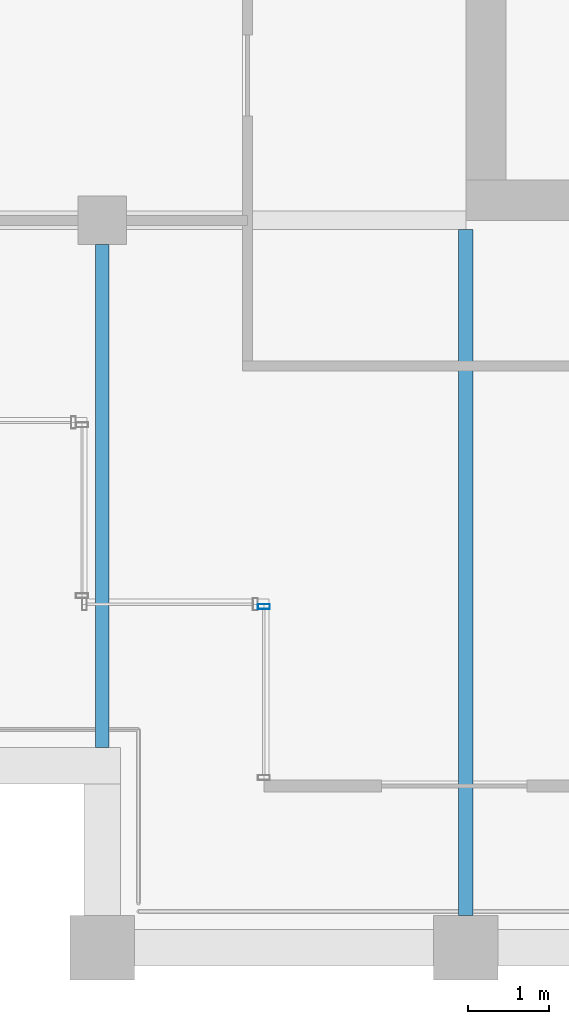
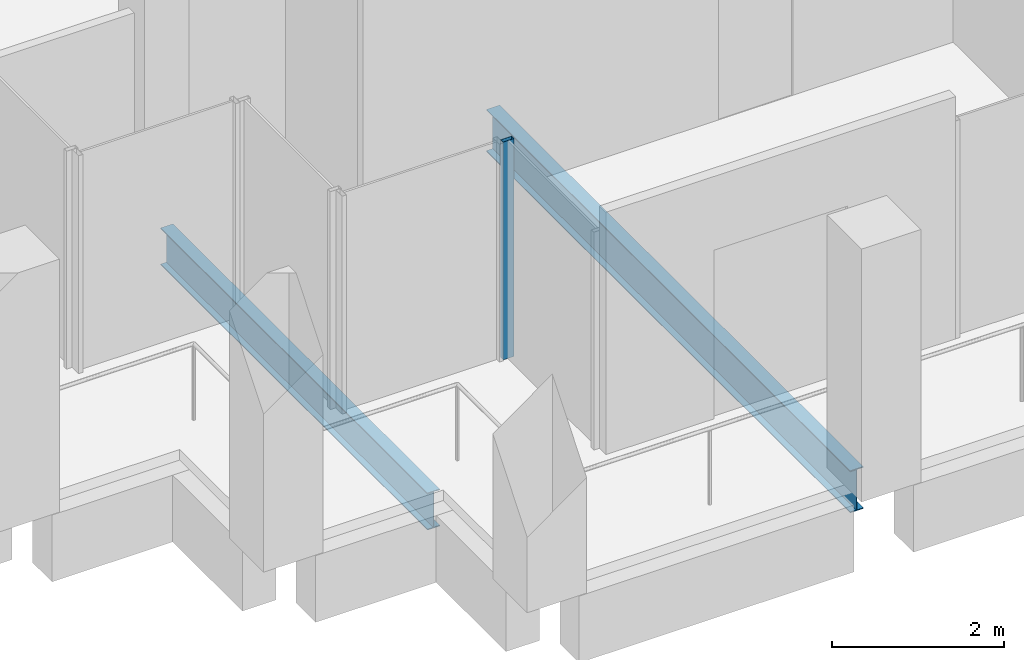
# One storey, part 29 of 40: 2 beams, 1 member, 1 element without a shape of its own.
"""IFC4 building model written with IfcOpenShell, lengths in metres."""

from ifc_helpers import new_model, si_unit, direction, frame, origin, origin_2d, place, context, subcontext, project, spatial, hollow_rectangle, i_section, extrude, material, material_profile, profile_set, type_object, element, aggregate, save


model = new_model("IFC4")

# Units and contexts
model_context = context("Model", 3, precision=1e-05, world=origin(), true_north=direction((0.0, 1.0)))
body_context = subcontext(model_context, "Body", "Model", "MODEL_VIEW")
ifc_project = project(units=[si_unit("LENGTHUNIT", "METRE"), si_unit("AREAUNIT", "SQUARE_METRE"), si_unit("VOLUMEUNIT", "CUBIC_METRE"), si_unit("PLANEANGLEUNIT", "RADIAN"), si_unit("MASSUNIT", "GRAM", prefix="KILO")], contexts=[model_context])

# Site, building, storey
site_placement = place(None, origin())
site = spatial("IfcSite", under=ifc_project, at=site_placement, CompositionType="ELEMENT")
building_placement = place(site_placement, origin())
building = spatial("IfcBuilding", under=site, at=building_placement, Name="Altepetl Exchange Towers", CompositionType="ELEMENT")
storey_placement = place(building_placement, frame((0.0, 0.0, 199.199951171875)))
storey = spatial("IfcBuildingStorey", under=building, at=storey_placement, Name="L50", CompositionType="ELEMENT", Elevation=199.199951171875)

# Beams
ifc_material_1 = material(Name="Steel S355", Category="steel")
ifc_material_profile_1 = material_profile(ifc_material_1, i_section(OverallWidth=0.166015625, OverallDepth=0.529052734375, WebThickness=0.009765625, FlangeThickness=0.013671875, at=origin_2d()), Name="W21X50")
ifc_profile_set_1 = profile_set([ifc_material_profile_1], Name="Steel S355")
beam_type_1 = type_object("IfcBeamType", Name="Floor beam W21X50", PredefinedType="BEAM", material=ifc_profile_set_1)
beam_1_placement = place(storey_placement, frame((99.0, 29.47509765625, -0.41455078125), z_axis=(0.0, 1.0, 0.0), x_axis=(-1.0, 0.0, 0.0)))
element("IfcBeam", 1, at=beam_1_placement, inside=storey, type_object=beam_type_1, Name="bm:B:L50:000", PredefinedType="BEAM", context=body_context, shape_type="SweptSolid", body=[
    extrude(i_section(OverallWidth=0.166015625, OverallDepth=0.529052734375, WebThickness=0.009765625, FlangeThickness=0.013671875, at=origin_2d()), origin(), (0.0, 0.0, 1.0), 6.224853515625),
])
ifc_material_profile_2 = material_profile(ifc_material_1, i_section(OverallWidth=0.177978515625, OverallDepth=0.59912109375, WebThickness=0.010009765625, FlangeThickness=0.0126953125, at=origin_2d()), Name="W24X55")
ifc_profile_set_2 = profile_set([ifc_material_profile_2], Name="Steel S355")
beam_type_2 = type_object("IfcBeamType", Name="Floor beam W24X55", PredefinedType="BEAM", material=ifc_profile_set_2)
beam_2_placement = place(storey_placement, frame((103.5, 27.39990234375, -0.449462890625), z_axis=(0.0, 1.0, 0.0), x_axis=(-1.0, 0.0, 0.0)))
element("IfcBeam", 2, at=beam_2_placement, inside=storey, type_object=beam_type_2, Name="bm:B:L50:001", PredefinedType="BEAM", context=body_context, shape_type="SweptSolid", body=[
    extrude(i_section(OverallWidth=0.177978515625, OverallDepth=0.59912109375, WebThickness=0.010009765625, FlangeThickness=0.0126953125, at=origin_2d()), origin(), (0.0, 0.0, 1.0), 8.486083984375),
])

# Curtain wall, member
ifc_material_2 = material(Name="Aluminium 6063-T6 glazing", Category="aluminium")
curtain_wall_type = type_object("IfcCurtainWallType", Name="Loggia glazing system", PredefinedType="NOTDEFINED", material=ifc_material_2)
curtain_wall_placement = place(storey_placement, origin())
curtain_wall = element("IfcCurtainWall", 3, at=curtain_wall_placement, inside=storey, type_object=curtain_wall_type, Name="CW1 run", PredefinedType="NOTDEFINED")
ifc_material_3 = material(Name="Aluminium 6063-T6", Category="aluminium")
ifc_material_profile_3 = material_profile(ifc_material_3, hollow_rectangle(XDim=0.06005859375, YDim=0.14990234375, WallThickness=0.0029296875, at=origin_2d()), Name="Mullion 60x150 aluminium")
ifc_profile_set_3 = profile_set([ifc_material_profile_3], Name="Aluminium 6063-T6")
member_type = type_object("IfcMemberType", Name="Mullion 60x150 aluminium", PredefinedType="MULLION", material=ifc_profile_set_3)
member_placement = place(storey_placement, frame((101.0, 31.219970703125, 0.0), z_axis=(0.0, 0.0, 1.0), x_axis=(0.0, -1.0, 0.0)))
member = element("IfcMember", 4, at=member_placement, type_object=member_type, Name="MU1 mullion", PredefinedType="MULLION", context=body_context, shape_type="SweptSolid", body=[
    extrude(hollow_rectangle(XDim=0.06005859375, YDim=0.14990234375, WallThickness=0.0029296875, at=origin_2d()), origin(), (0.0, 0.0, 1.0), 3.10009765625),
])
aggregate(curtain_wall, [member])

save(model, "model.ifc")
